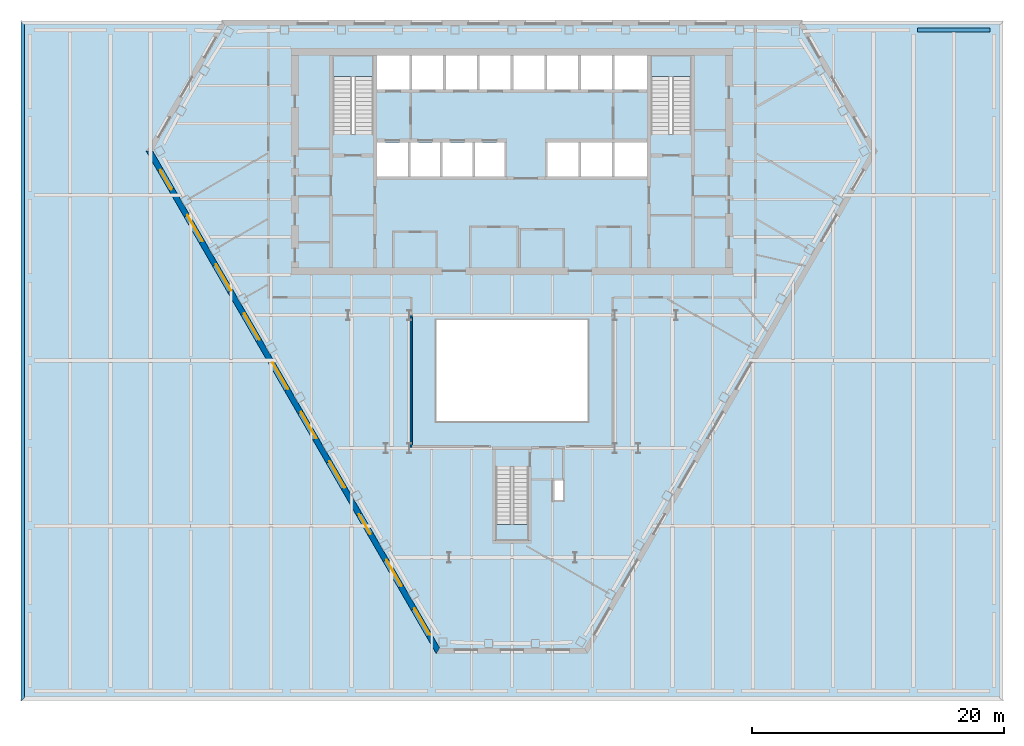
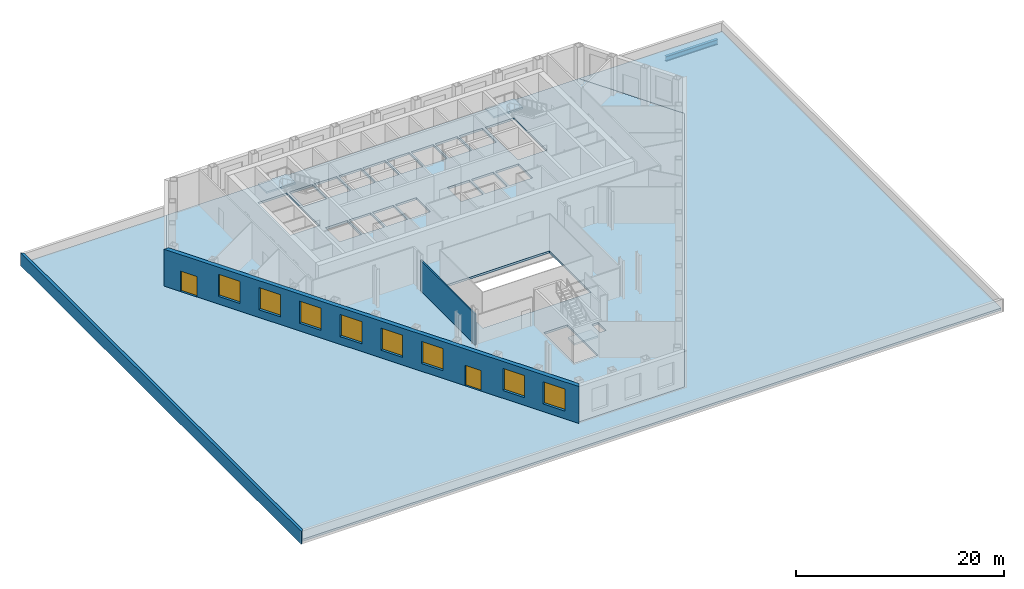
# One storey, part 5 of 14: 8 windows, 5 slabs, 3 walls, 2 doors, 1 beam, 10 openings, 3 elements without a shape of their own.
"""IFC4 building model written with IfcOpenShell, lengths in metres."""

from ifc_helpers import new_model, si_unit, direction, frame, frame_2d, origin, origin_2d, place, context, subcontext, project, spatial, polyline, rectangle, i_section, outline, extrude, material, layer, layer_set, material_profile, profile_set, type_object, element, fill, aggregate, save


model = new_model("IFC4")

# Units and contexts
model_context = context("Model", 3, precision=1e-05, world=origin(), true_north=direction((0.0, 1.0)))
body_context = subcontext(model_context, "Body", "Model", "MODEL_VIEW")
ifc_project = project(units=[si_unit("LENGTHUNIT", "METRE"), si_unit("AREAUNIT", "SQUARE_METRE"), si_unit("VOLUMEUNIT", "CUBIC_METRE"), si_unit("PLANEANGLEUNIT", "RADIAN"), si_unit("MASSUNIT", "GRAM", prefix="KILO")], contexts=[model_context])

# Site, building, storey
site_placement = place(None, origin())
site = spatial("IfcSite", under=ifc_project, at=site_placement, CompositionType="ELEMENT")
building_placement = place(site_placement, origin())
building = spatial("IfcBuilding", under=site, at=building_placement, Name="Njiva Tower", CompositionType="ELEMENT")
storey_placement = place(building_placement, frame((0.0, 0.0, 28.8)))
storey = spatial("IfcBuildingStorey", under=building, at=storey_placement, Name="L05", CompositionType="ELEMENT", Elevation=28.8)

# Beam
ifc_material_1 = material(Name="Steel S355 J2", Category="steel")
ifc_material_profile = material_profile(ifc_material_1, i_section(OverallWidth=0.3, OverallDepth=0.6, WebThickness=0.0155, FlangeThickness=0.03, at=origin_2d()), Name="HEB 600")
ifc_profile_set = profile_set([ifc_material_profile], Name="Steel S355 J2")
beam_type = type_object("IfcBeamType", Name="B2 Spandrel beam HEB 600", PredefinedType="SPANDREL", material=ifc_profile_set)
beam_placement = place(storey_placement, frame((32.133, 19.4, -0.55), z_axis=(1.0, 0.0, 0.0), x_axis=(0.0, 1.0, 0.0)))
element("IfcBeam", 1, at=beam_placement, inside=storey, type_object=beam_type, Name="Spandrel beam S01-B198", PredefinedType="SPANDREL", context=body_context, shape_type="SweptSolid", body=[
    extrude(i_section(OverallWidth=0.3, OverallDepth=0.6, WebThickness=0.0155, FlangeThickness=0.03, at=origin_2d()), origin(), (0.0, 0.0, 1.0), 5.767),
])

# Stair, slab
ifc_material_2 = material(Name="Concrete C40/50", Category="concrete")
stair_type_1 = type_object("IfcStairType", Name="ST4 Exit stair 1500", PredefinedType="HALF_TURN_STAIR", material=ifc_material_2)
stair_1_placement = place(storey_placement, origin())
stair_1 = element("IfcStair", 2, at=stair_1_placement, inside=storey, type_object=stair_type_1, Name="Stair A", PredefinedType="HALF_TURN_STAIR")
ifc_layer_1 = layer(ifc_material_2, 0.2)
ifc_layer_set_1 = layer_set([ifc_layer_1], Name="Concrete C40/50")
slab_type_1 = type_object("IfcSlabType", Name="FL9 Stair landing 200", PredefinedType="LANDING", material=ifc_layer_set_1)
slab_1_placement = place(storey_placement, frame((0.0, 0.0, 2.05)))
slab_1 = element("IfcSlab", 3, at=slab_1_placement, type_object=slab_type_1, Name="ST-A landing 1", PredefinedType="LANDING", context=body_context, shape_type="SweptSolid", body=[
    extrude(outline(polyline([(-14.206, 15.72), (-10.994, 15.72), (-10.994, 17.4), (-14.206, 17.4), (-14.206, 15.72)])), origin(), (0.0, 0.0, 1.0), 0.2),
])
aggregate(stair_1, [slab_1])

stair_2_placement = place(storey_placement, origin())
stair_2 = element("IfcStair", 4, at=stair_2_placement, inside=storey, type_object=stair_type_1, Name="Stair B", PredefinedType="HALF_TURN_STAIR")
slab_2_placement = place(storey_placement, frame((0.0, 0.0, 2.05)))
slab_2 = element("IfcSlab", 5, at=slab_2_placement, type_object=slab_type_1, Name="ST-B landing 1", PredefinedType="LANDING", context=body_context, shape_type="SweptSolid", body=[
    extrude(outline(polyline([(10.994, 15.72), (14.206, 15.72), (14.206, 17.4), (10.994, 17.4), (10.994, 15.72)])), origin(), (0.0, 0.0, 1.0), 0.2),
])
aggregate(stair_2, [slab_2])

stair_type_2 = type_object("IfcStairType", Name="ST1 Exit stair 1250", PredefinedType="HALF_TURN_STAIR", material=ifc_material_2)
stair_3_placement = place(storey_placement, origin())
stair_3 = element("IfcStair", 6, at=stair_3_placement, inside=storey, type_object=stair_type_2, Name="Stair C", PredefinedType="HALF_TURN_STAIR")
slab_3_placement = place(storey_placement, frame((0.0, 0.0, 2.05)))
slab_3 = element("IfcSlab", 7, at=slab_3_placement, type_object=slab_type_1, Name="ST-C landing 1", PredefinedType="LANDING", context=body_context, shape_type="SweptSolid", body=[
    extrude(outline(polyline([(-1.306, -21.05), (1.306, -21.05), (1.306, -19.78), (-1.306, -19.78), (-1.306, -21.05)])), origin(), (0.0, 0.0, 1.0), 0.2),
])
aggregate(stair_3, [slab_3])

# Slabs
ifc_material_3 = material(Name="Concrete C30/37", Category="concrete")
ifc_layer_2 = layer(ifc_material_3, 0.25)
ifc_layer_set_2 = layer_set([ifc_layer_2], Name="Concrete C30/37")
slab_type_2 = type_object("IfcSlabType", Name="SL14 Podium roof slab 250", PredefinedType="FLOOR", material=ifc_layer_set_2)
slab_4_placement = place(storey_placement, frame((0.0, 0.0, -0.25)))
element("IfcSlab", 8, at=slab_4_placement, inside=storey, type_object=slab_type_2, Name="Floor slab L05", PredefinedType="FLOOR", context=body_context, shape_type="SweptSolid", body=[
    extrude(outline(polyline([(28.7402, 9.8077), (5.8701, -29.8045), (-5.8701, -29.8045), (-28.7402, 9.8077), (-22.8701, 19.975), (22.8701, 19.975), (28.7402, 9.8077)]), holes=[polyline([(10.994, 11.13), (14.206, 11.13), (14.206, 17.4), (10.994, 17.4), (10.994, 11.13)]), polyline([(8.125, 17.4), (8.125, 14.7), (10.7, 14.7), (10.7, 17.4), (8.125, 17.4)]), polyline([(8.1333, 10.5), (8.1333, 7.8), (10.7, 7.8), (10.7, 10.5), (8.1333, 10.5)]), polyline([(5.4667, 10.5), (5.4667, 7.8), (7.9333, 7.8), (7.9333, 10.5), (5.4667, 10.5)]), polyline([(5.45, 17.4), (5.45, 14.7), (7.925, 14.7), (7.925, 17.4), (5.45, 17.4)]), polyline([(6.0, -11.6), (6.0, -3.6), (-6.0, -3.6), (-6.0, -11.6), (6.0, -11.6)]), polyline([(2.8, 7.8), (5.2667, 7.8), (5.2667, 10.5), (2.8, 10.5), (2.8, 7.8)]), polyline([(2.775, 14.7), (5.25, 14.7), (5.25, 17.4), (2.775, 17.4), (2.775, 14.7)]), polyline([(3.35, -17.85), (4.05, -17.85), (4.05, -16.3), (3.35, -16.3), (3.35, -17.85)]), polyline([(0.1, 14.7), (2.575, 14.7), (2.575, 17.4), (0.1, 17.4), (0.1, 14.7)]), polyline([(-1.306, -21.05), (1.306, -21.05), (1.306, -15.19), (-1.306, -15.19), (-1.306, -21.05)]), polyline([(-2.575, 17.4), (-2.575, 14.7), (-0.1, 14.7), (-0.1, 17.4), (-2.575, 17.4)]), polyline([(-2.95, 10.5), (-2.95, 7.8), (-0.6, 7.8), (-0.6, 10.5), (-2.95, 10.5)]), polyline([(-5.25, 17.4), (-5.25, 14.7), (-2.775, 14.7), (-2.775, 17.4), (-5.25, 17.4)]), polyline([(-5.5, 10.5), (-5.5, 7.8), (-3.15, 7.8), (-3.15, 10.5), (-5.5, 10.5)]), polyline([(-7.925, 14.7), (-5.45, 14.7), (-5.45, 17.4), (-7.925, 17.4), (-7.925, 14.7)]), polyline([(-8.05, 7.8), (-5.7, 7.8), (-5.7, 10.5), (-8.05, 10.5), (-8.05, 7.8)]), polyline([(-10.7, 14.7), (-8.125, 14.7), (-8.125, 17.4), (-10.7, 17.4), (-10.7, 14.7)]), polyline([(-10.7, 7.8), (-8.25, 7.8), (-8.25, 10.5), (-10.7, 10.5), (-10.7, 7.8)]), polyline([(-14.206, 11.13), (-10.994, 11.13), (-10.994, 17.4), (-14.206, 17.4), (-14.206, 11.13)])]), origin(), (0.0, 0.0, 1.0), 0.25),
])
ifc_layer_3 = layer(ifc_material_3, 0.25)
ifc_layer_set_3 = layer_set([ifc_layer_3], Name="Concrete C30/37")
slab_type_3 = type_object("IfcSlabType", Name="SL15 Podium roof terrace deck 250", PredefinedType="ROOF", material=ifc_layer_set_3)
slab_5_placement = place(storey_placement, frame((0.0, 0.0, -0.25)))
element("IfcSlab", 9, at=slab_5_placement, inside=storey, type_object=slab_type_3, Name="Podium roof terrace deck", PredefinedType="ROOF", context=body_context, shape_type="SweptSolid", body=[
    extrude(outline(polyline([(38.775, 19.975), (38.775, -33.575), (-38.775, -33.575), (-38.775, 19.975), (-22.8701, 19.975), (-28.7402, 9.8077), (-5.8701, -29.8045), (5.8701, -29.8045), (28.7402, 9.8077), (22.8701, 19.975), (38.775, 19.975)])), origin(), (0.0, 0.0, 1.0), 0.25),
])

# Wall
ifc_material_4 = material(Name="Gypsum board on steel studs", Category="gypsum")
ifc_layer_4 = layer(ifc_material_4, 0.15)
ifc_layer_set_4 = layer_set([ifc_layer_4], Name="Gypsum board on steel studs")
wall_type_1 = type_object("IfcWallType", Name="WT21 Compartment wall 150", PredefinedType="PARTITIONING", material=ifc_layer_set_4)
wall_1_placement = place(storey_placement, frame((-8.0, -13.675, 0.0), z_axis=(0.0, 0.0, 1.0), x_axis=(0.0, 1.0, 0.0)))
element("IfcWall", 10, at=wall_1_placement, inside=storey, type_object=wall_type_1, Name="Partition S01-P006", PredefinedType="PARTITIONING", context=body_context, shape_type="SweptSolid", body=[
    extrude(rectangle(XDim=10.475, YDim=0.15, at=frame_2d((5.2375, 0.0))), origin(), (0.0, 0.0, 1.0), 3.61),
])

# Wall, openings, doors, windows
ifc_material_5 = material(Name="Brick masonry", Category="masonry")
ifc_layer_5 = layer(ifc_material_5, 0.45)
ifc_layer_set_5 = layer_set([ifc_layer_5], Name="Brick masonry")
wall_type_2 = type_object("IfcWallType", Name="WT90 Brick pier and spandrel wall 450", PredefinedType="SOLIDWALL", material=ifc_layer_set_5)
wall_2_placement = place(storey_placement, frame((-28.7402, 9.8077, -0.23), z_axis=(0.0, 0.0, 1.0), x_axis=(0.499999764979, -0.866025539474, 0.0)))
wall_2 = element("IfcWall", 11, at=wall_2_placement, inside=storey, type_object=wall_type_2, Name="Facade wall SW", PredefinedType="SOLIDWALL", context=body_context, shape_type="SweptSolid", body=[
    extrude(outline(polyline([(-0.1299, -0.225), (45.8701, -0.225), (45.6103, 0.225), (0.1299, 0.225), (-0.1299, -0.225)])), origin(), (0.0, 0.0, 1.0), 4.55),
])
opening_1_placement = place(wall_2_placement, frame((1.7242, 0.0, 0.23)))
opening_1 = element("IfcOpeningElement", 12, at=opening_1_placement, cuts=wall_2, Name="Opening S01-D02", PredefinedType="OPENING", context=body_context, shape_type="SweptSolid", body=[
    extrude(rectangle(XDim=1.8, YDim=2.4, at=frame_2d((0.9, 1.2))), frame((0.0, 0.235, 0.0), z_axis=(0.0, -1.0, 0.0), x_axis=(1.0, 0.0, 0.0)), (0.0, 0.0, 1.0), 0.47),
])
opening_2_placement = place(wall_2_placement, frame((5.8934, 0.0, 1.13)))
opening_2 = element("IfcOpeningElement", 13, at=opening_2_placement, cuts=wall_2, Name="Opening S01-W11", PredefinedType="OPENING", context=body_context, shape_type="SweptSolid", body=[
    extrude(rectangle(XDim=2.4, YDim=2.6, at=frame_2d((1.2, 1.3))), frame((0.0, 0.235, 0.0), z_axis=(0.0, -1.0, 0.0), x_axis=(1.0, 0.0, 0.0)), (0.0, 0.0, 1.0), 0.47),
])
opening_3_placement = place(wall_2_placement, frame((10.401, 0.0, 1.13)))
opening_3 = element("IfcOpeningElement", 14, at=opening_3_placement, cuts=wall_2, Name="Opening S01-W12", PredefinedType="OPENING", context=body_context, shape_type="SweptSolid", body=[
    extrude(rectangle(XDim=2.4, YDim=2.6, at=frame_2d((1.2, 1.3))), frame((0.0, 0.235, 0.0), z_axis=(0.0, -1.0, 0.0), x_axis=(1.0, 0.0, 0.0)), (0.0, 0.0, 1.0), 0.47),
])
opening_4_placement = place(wall_2_placement, frame((14.9087, 0.0, 1.13)))
opening_4 = element("IfcOpeningElement", 15, at=opening_4_placement, cuts=wall_2, Name="Opening S01-W13", PredefinedType="OPENING", context=body_context, shape_type="SweptSolid", body=[
    extrude(rectangle(XDim=2.4, YDim=2.6, at=frame_2d((1.2, 1.3))), frame((0.0, 0.235, 0.0), z_axis=(0.0, -1.0, 0.0), x_axis=(1.0, 0.0, 0.0)), (0.0, 0.0, 1.0), 0.47),
])
opening_5_placement = place(wall_2_placement, frame((19.4163, 0.0, 1.13)))
opening_5 = element("IfcOpeningElement", 16, at=opening_5_placement, cuts=wall_2, Name="Opening S01-W14", PredefinedType="OPENING", context=body_context, shape_type="SweptSolid", body=[
    extrude(rectangle(XDim=2.4, YDim=2.6, at=frame_2d((1.2, 1.3))), frame((0.0, 0.235, 0.0), z_axis=(0.0, -1.0, 0.0), x_axis=(1.0, 0.0, 0.0)), (0.0, 0.0, 1.0), 0.47),
])
opening_6_placement = place(wall_2_placement, frame((23.9239, 0.0, 1.13)))
opening_6 = element("IfcOpeningElement", 17, at=opening_6_placement, cuts=wall_2, Name="Opening S01-W15", PredefinedType="OPENING", context=body_context, shape_type="SweptSolid", body=[
    extrude(rectangle(XDim=2.4, YDim=2.6, at=frame_2d((1.2, 1.3))), frame((0.0, 0.235, 0.0), z_axis=(0.0, -1.0, 0.0), x_axis=(1.0, 0.0, 0.0)), (0.0, 0.0, 1.0), 0.47),
])
opening_7_placement = place(wall_2_placement, frame((28.4315, 0.0, 1.13)))
opening_7 = element("IfcOpeningElement", 18, at=opening_7_placement, cuts=wall_2, Name="Opening S01-W16", PredefinedType="OPENING", context=body_context, shape_type="SweptSolid", body=[
    extrude(rectangle(XDim=2.4, YDim=2.6, at=frame_2d((1.2, 1.3))), frame((0.0, 0.235, 0.0), z_axis=(0.0, -1.0, 0.0), x_axis=(1.0, 0.0, 0.0)), (0.0, 0.0, 1.0), 0.47),
])
opening_8_placement = place(wall_2_placement, frame((33.2391, 0.0, 0.23)))
opening_8 = element("IfcOpeningElement", 19, at=opening_8_placement, cuts=wall_2, Name="Opening S01-D03", PredefinedType="OPENING", context=body_context, shape_type="SweptSolid", body=[
    extrude(rectangle(XDim=1.8, YDim=2.4, at=frame_2d((0.9, 1.2))), frame((0.0, 0.235, 0.0), z_axis=(0.0, -1.0, 0.0), x_axis=(1.0, 0.0, 0.0)), (0.0, 0.0, 1.0), 0.47),
])
opening_9_placement = place(wall_2_placement, frame((37.4468, 0.0, 1.13)))
opening_9 = element("IfcOpeningElement", 20, at=opening_9_placement, cuts=wall_2, Name="Opening S01-W17", PredefinedType="OPENING", context=body_context, shape_type="SweptSolid", body=[
    extrude(rectangle(XDim=2.4, YDim=2.6, at=frame_2d((1.2, 1.3))), frame((0.0, 0.235, 0.0), z_axis=(0.0, -1.0, 0.0), x_axis=(1.0, 0.0, 0.0)), (0.0, 0.0, 1.0), 0.47),
])
opening_10_placement = place(wall_2_placement, frame((41.916, 0.0, 1.13)))
opening_10 = element("IfcOpeningElement", 21, at=opening_10_placement, cuts=wall_2, Name="Opening S01-W18", PredefinedType="OPENING", context=body_context, shape_type="SweptSolid", body=[
    extrude(rectangle(XDim=2.4, YDim=2.6, at=frame_2d((1.2, 1.3))), frame((0.0, 0.235, 0.0), z_axis=(0.0, -1.0, 0.0), x_axis=(1.0, 0.0, 0.0)), (0.0, 0.0, 1.0), 0.47),
])
ifc_material_6 = material(Name="Aluminium frame with clear glazing", Category="aluminium")
door_type = type_object("IfcDoorType", Name="D92 Terrace door pair 1800x2400", OperationType="DOUBLE_DOOR_SINGLE_SWING", PredefinedType="DOOR", material=ifc_material_6)
door_1_placement = place(opening_1_placement, frame((1.8, 0.0, 0.0), z_axis=(0.0, 0.0, 1.0), x_axis=(-1.0, 0.0, 0.0)))
door_1 = element("IfcDoor", 22, at=door_1_placement, inside=storey, type_object=door_type, Name="Terrace door", OperationType="DOUBLE_DOOR_SINGLE_SWING", OverallHeight=2.4, OverallWidth=1.8, PredefinedType="DOOR", context=body_context, shape_type="SweptSolid", body=[
    extrude(rectangle(XDim=1.8, YDim=2.4, at=frame_2d((0.9, 1.2))), frame((0.0, 0.025, 0.0), z_axis=(0.0, -1.0, 0.0), x_axis=(1.0, 0.0, 0.0)), (0.0, 0.0, 1.0), 0.05),
])
fill(opening_1, door_1)
door_2_placement = place(opening_8_placement, frame((1.8, 0.0, 0.0), z_axis=(0.0, 0.0, 1.0), x_axis=(-1.0, 0.0, 0.0)))
door_2 = element("IfcDoor", 23, at=door_2_placement, inside=storey, type_object=door_type, Name="Terrace door", OperationType="DOUBLE_DOOR_SINGLE_SWING", OverallHeight=2.4, OverallWidth=1.8, PredefinedType="DOOR", context=body_context, shape_type="SweptSolid", body=[
    extrude(rectangle(XDim=1.8, YDim=2.4, at=frame_2d((0.9, 1.2))), frame((0.0, 0.025, 0.0), z_axis=(0.0, -1.0, 0.0), x_axis=(1.0, 0.0, 0.0)), (0.0, 0.0, 1.0), 0.05),
])
fill(opening_8, door_2)
ifc_material_7 = material(Name="Clear glazing in aluminium frame", Category="aluminium")
window_type = type_object("IfcWindowType", Name="W92 Deep-set window 2400x2600", PartitioningType="SINGLE_PANEL", PredefinedType="WINDOW", material=ifc_material_7)
window_1_placement = place(opening_2_placement, origin())
window_1 = element("IfcWindow", 24, at=window_1_placement, inside=storey, type_object=window_type, Name="Window", OverallHeight=2.6, OverallWidth=2.4, PartitioningType="SINGLE_PANEL", PredefinedType="WINDOW", context=body_context, shape_type="SweptSolid", body=[
    extrude(rectangle(XDim=2.4, YDim=2.6, at=frame_2d((1.2, 1.3))), frame((0.0, 0.105, 0.0), z_axis=(0.0, -1.0, 0.0), x_axis=(1.0, 0.0, 0.0)), (0.0, 0.0, 1.0), 0.06),
])
fill(opening_2, window_1)
window_2_placement = place(opening_3_placement, origin())
window_2 = element("IfcWindow", 25, at=window_2_placement, inside=storey, type_object=window_type, Name="Window", OverallHeight=2.6, OverallWidth=2.4, PartitioningType="SINGLE_PANEL", PredefinedType="WINDOW", context=body_context, shape_type="SweptSolid", body=[
    extrude(rectangle(XDim=2.4, YDim=2.6, at=frame_2d((1.2, 1.3))), frame((0.0, 0.105, 0.0), z_axis=(0.0, -1.0, 0.0), x_axis=(1.0, 0.0, 0.0)), (0.0, 0.0, 1.0), 0.06),
])
fill(opening_3, window_2)
window_3_placement = place(opening_4_placement, origin())
window_3 = element("IfcWindow", 26, at=window_3_placement, inside=storey, type_object=window_type, Name="Window", OverallHeight=2.6, OverallWidth=2.4, PartitioningType="SINGLE_PANEL", PredefinedType="WINDOW", context=body_context, shape_type="SweptSolid", body=[
    extrude(rectangle(XDim=2.4, YDim=2.6, at=frame_2d((1.2, 1.3))), frame((0.0, 0.105, 0.0), z_axis=(0.0, -1.0, 0.0), x_axis=(1.0, 0.0, 0.0)), (0.0, 0.0, 1.0), 0.06),
])
fill(opening_4, window_3)
window_4_placement = place(opening_5_placement, origin())
window_4 = element("IfcWindow", 27, at=window_4_placement, inside=storey, type_object=window_type, Name="Window", OverallHeight=2.6, OverallWidth=2.4, PartitioningType="SINGLE_PANEL", PredefinedType="WINDOW", context=body_context, shape_type="SweptSolid", body=[
    extrude(rectangle(XDim=2.4, YDim=2.6, at=frame_2d((1.2, 1.3))), frame((0.0, 0.105, 0.0), z_axis=(0.0, -1.0, 0.0), x_axis=(1.0, 0.0, 0.0)), (0.0, 0.0, 1.0), 0.06),
])
fill(opening_5, window_4)
window_5_placement = place(opening_6_placement, origin())
window_5 = element("IfcWindow", 28, at=window_5_placement, inside=storey, type_object=window_type, Name="Window", OverallHeight=2.6, OverallWidth=2.4, PartitioningType="SINGLE_PANEL", PredefinedType="WINDOW", context=body_context, shape_type="SweptSolid", body=[
    extrude(rectangle(XDim=2.4, YDim=2.6, at=frame_2d((1.2, 1.3))), frame((0.0, 0.105, 0.0), z_axis=(0.0, -1.0, 0.0), x_axis=(1.0, 0.0, 0.0)), (0.0, 0.0, 1.0), 0.06),
])
fill(opening_6, window_5)
window_6_placement = place(opening_7_placement, origin())
window_6 = element("IfcWindow", 29, at=window_6_placement, inside=storey, type_object=window_type, Name="Window", OverallHeight=2.6, OverallWidth=2.4, PartitioningType="SINGLE_PANEL", PredefinedType="WINDOW", context=body_context, shape_type="SweptSolid", body=[
    extrude(rectangle(XDim=2.4, YDim=2.6, at=frame_2d((1.2, 1.3))), frame((0.0, 0.105, 0.0), z_axis=(0.0, -1.0, 0.0), x_axis=(1.0, 0.0, 0.0)), (0.0, 0.0, 1.0), 0.06),
])
fill(opening_7, window_6)
window_7_placement = place(opening_9_placement, origin())
window_7 = element("IfcWindow", 30, at=window_7_placement, inside=storey, type_object=window_type, Name="Window", OverallHeight=2.6, OverallWidth=2.4, PartitioningType="SINGLE_PANEL", PredefinedType="WINDOW", context=body_context, shape_type="SweptSolid", body=[
    extrude(rectangle(XDim=2.4, YDim=2.6, at=frame_2d((1.2, 1.3))), frame((0.0, 0.105, 0.0), z_axis=(0.0, -1.0, 0.0), x_axis=(1.0, 0.0, 0.0)), (0.0, 0.0, 1.0), 0.06),
])
fill(opening_9, window_7)
window_8_placement = place(opening_10_placement, origin())
window_8 = element("IfcWindow", 31, at=window_8_placement, inside=storey, type_object=window_type, Name="Window", OverallHeight=2.6, OverallWidth=2.4, PartitioningType="SINGLE_PANEL", PredefinedType="WINDOW", context=body_context, shape_type="SweptSolid", body=[
    extrude(rectangle(XDim=2.4, YDim=2.6, at=frame_2d((1.2, 1.3))), frame((0.0, 0.105, 0.0), z_axis=(0.0, -1.0, 0.0), x_axis=(1.0, 0.0, 0.0)), (0.0, 0.0, 1.0), 0.06),
])
fill(opening_10, window_8)

# Wall
ifc_layer_6 = layer(ifc_material_5, 0.3)
ifc_layer_set_6 = layer_set([ifc_layer_6], Name="Brick masonry")
wall_type_3 = type_object("IfcWallType", Name="WT92 Terrace parapet wall 300", PredefinedType="PARAPET", material=ifc_layer_set_6)
wall_3_placement = place(storey_placement, frame((-38.775, 20.05, -0.4), z_axis=(0.0, 0.0, 1.0), x_axis=(0.0, -1.0, 0.0)))
element("IfcWall", 32, at=wall_3_placement, inside=storey, type_object=wall_type_3, Name="Terrace parapet", PredefinedType="PARAPET", context=body_context, shape_type="SweptSolid", body=[
    extrude(outline(polyline([(-0.15, -0.15), (53.85, -0.15), (53.55, 0.15), (0.15, 0.15), (-0.15, -0.15)])), origin(), (0.0, 0.0, 1.0), 1.5),
])

save(model, "model.ifc")
